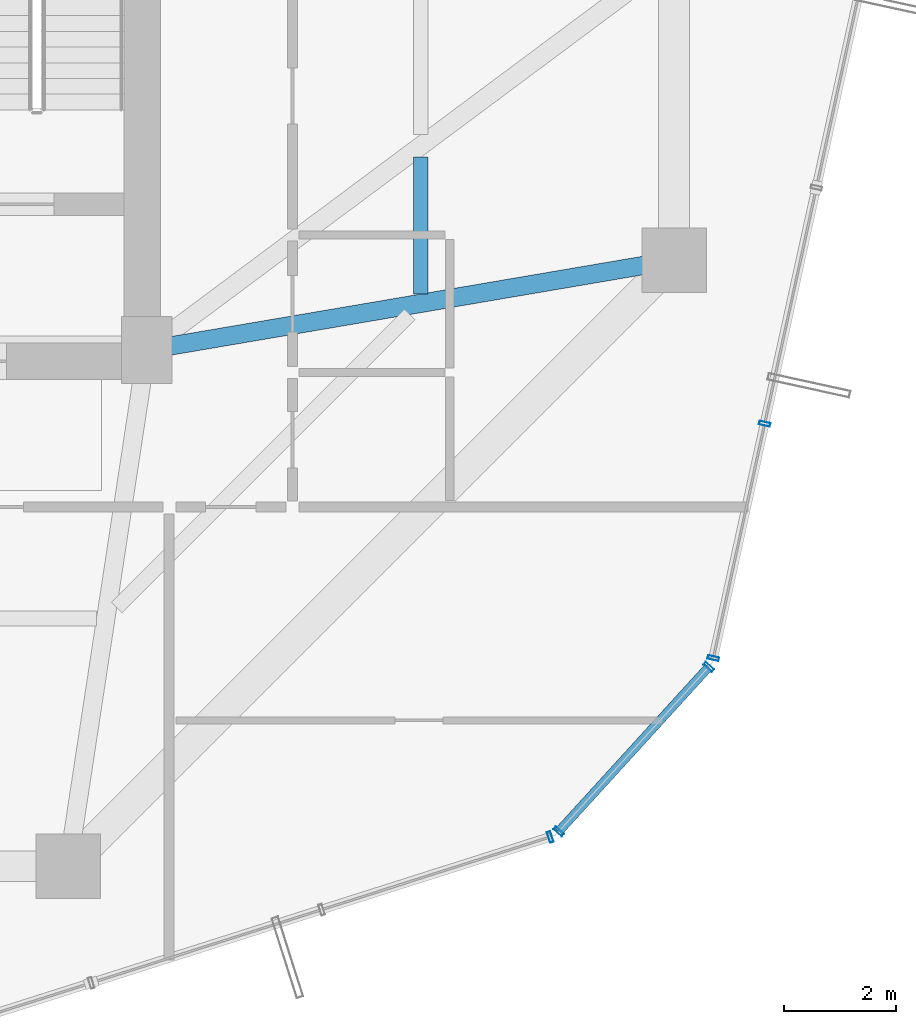
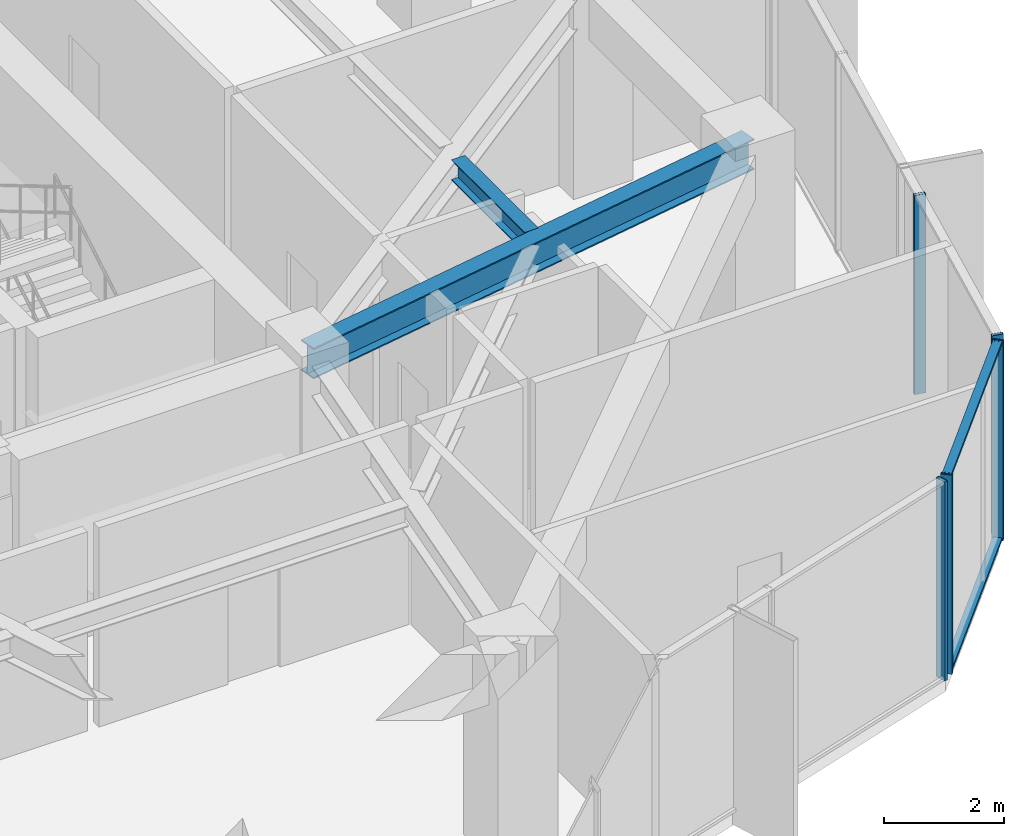
# One storey, part 13 of 28: 7 members, 2 beams, 3 elements without a shape of their own.
"""IFC4 building model written with IfcOpenShell, lengths in metres."""

from ifc_helpers import new_model, si_unit, direction, frame, origin, origin_2d, place, context, subcontext, project, spatial, hollow_rectangle, i_section, extrude, source, transform, mapped, material, layer, layer_set, material_profile, profile_set, type_object, element, aggregate, save


model = new_model("IFC4")

# Units and contexts
model_context = context("Model", 3, precision=1e-05, world=origin(), true_north=direction((0.0, 1.0)))
body_context = subcontext(model_context, "Body", "Model", "MODEL_VIEW")
ifc_project = project(units=[si_unit("LENGTHUNIT", "METRE"), si_unit("AREAUNIT", "SQUARE_METRE"), si_unit("VOLUMEUNIT", "CUBIC_METRE"), si_unit("PLANEANGLEUNIT", "RADIAN"), si_unit("MASSUNIT", "GRAM", prefix="KILO")], contexts=[model_context])

# Site, building, storey
site_placement = place(None, origin())
site = spatial("IfcSite", under=ifc_project, at=site_placement, CompositionType="ELEMENT")
building_placement = place(site_placement, origin())
building = spatial("IfcBuilding", under=site, at=building_placement, Name="Veraguas Prism Commons", CompositionType="ELEMENT")
storey_placement = place(building_placement, frame((0.0, 0.0, 85.14990234375)))
storey = spatial("IfcBuildingStorey", under=building, at=storey_placement, Name="L23", CompositionType="ELEMENT", Elevation=85.14990234375)

# Beams
ifc_material_1 = material(Name="Steel ASTM A992 Grade 50", Category="steel")
ifc_material_profile_1 = material_profile(ifc_material_1, i_section(OverallWidth=0.260986328125, OverallDepth=0.419921875, WebThickness=0.01171875, FlangeThickness=0.019287109375, at=origin_2d()), Name="W410X114")
ifc_profile_set_1 = profile_set([ifc_material_profile_1], Name="Steel ASTM A992 Grade 50")
beam_type_1 = type_object("IfcBeamType", Name="Lower Floor Joist W410x114", PredefinedType="JOIST", material=ifc_profile_set_1)
beam_1_placement = place(storey_placement, frame((35.68798828125, 17.996337890625, 3.840087890625), z_axis=(0.0, 1.0, 0.0), x_axis=(-1.0, 0.0, 0.0)))
element("IfcBeam", 1, at=beam_1_placement, inside=storey, type_object=beam_type_1, Name="Composite Floor Joist L23-JS01", PredefinedType="JOIST", context=body_context, shape_type="SweptSolid", body=[
    extrude(i_section(OverallWidth=0.260986328125, OverallDepth=0.419921875, WebThickness=0.01171875, FlangeThickness=0.019287109375, at=origin_2d()), origin(), (0.0, 0.0, 1.0), 2.441650390625),
])
ifc_material_profile_2 = material_profile(ifc_material_1, i_section(OverallWidth=0.327880859375, OverallDepth=0.6220703125, WebThickness=0.015380859375, FlangeThickness=0.0244140625, at=origin_2d()), Name="W610X195")
ifc_profile_set_2 = profile_set([ifc_material_profile_2], Name="Steel ASTM A992 Grade 50")
beam_type_2 = type_object("IfcBeamType", Name="Zone 2 Radial Girder W610x195", PredefinedType="BEAM", material=ifc_profile_set_2)
beam_2_placement = place(storey_placement, frame((40.199951171875, 18.60009765625, 3.739013671875), z_axis=(-0.985819187151, -0.1678109956, 0.0), x_axis=(0.1678109956, -0.985819187151, 0.0)))
element("IfcBeam", 2, at=beam_2_placement, inside=storey, type_object=beam_type_2, Name="Radial Floor Girder L23-RD01", PredefinedType="BEAM", context=body_context, shape_type="SweptSolid", body=[
    extrude(i_section(OverallWidth=0.327880859375, OverallDepth=0.6220703125, WebThickness=0.015380859375, FlangeThickness=0.0244140625, at=origin_2d()), origin(), (0.0, 0.0, 1.0), 9.53515625),
])

# Curtain wall, member
ifc_material_2 = material(Name="Anodised aluminium EN AW-6063 T6", Category="aluminium")
ifc_layer = layer(ifc_material_2, 0.199951171875, Name="Sky Lobby and Pool Acoustic Curtain Wall", Category="aluminium")
ifc_layer_set = layer_set([ifc_layer], Name="Anodised aluminium EN AW-6063 T6")
curtain_wall_type = type_object("IfcCurtainWallType", Name="Sky Lobby and Pool Acoustic Curtain Wall", PredefinedType="NOTDEFINED", material=ifc_layer_set)
curtain_wall_1_placement = place(storey_placement, origin())
curtain_wall_1 = element("IfcCurtainWall", 3, at=curtain_wall_1_placement, inside=storey, type_object=curtain_wall_type, Name="Tower Facade Curtain Wall L23-F5", PredefinedType="NOTDEFINED")
ifc_material_profile_3 = material_profile(ifc_material_2, hollow_rectangle(XDim=0.06494140625, YDim=0.199951171875, WallThickness=0.00390625, at=origin_2d()), Name="AL65X200X4")
ifc_profile_set_3 = profile_set([ifc_material_profile_3], Name="Anodised aluminium EN AW-6063 T6")
member_type_1 = type_object("IfcMemberType", Name="Curtain Wall Mullion Heavy AL 65x200x4", PredefinedType="MULLION", material=ifc_profile_set_3)
shared_shape_1 = source(origin(), body_context, "Body", "SweptSolid", [
    extrude(hollow_rectangle(XDim=0.06494140625, YDim=0.199951171875, WallThickness=0.00390625, at=origin_2d()), origin(), (0.0, 0.0, 1.0), 4.050048828125),
])
member_1_placement = place(storey_placement, frame((37.993896484375, 8.321044921875, 0.0), z_axis=(0.0, 0.0, 1.0), x_axis=(0.952979341517, 0.303035269633, 0.0)))
member_1 = element("IfcMember", 4, at=member_1_placement, type_object=member_type_1, Name="CW-SKY Mullion 5", PredefinedType="MULLION", context=body_context, shape_type="MappedRepresentation", body=[
    mapped(shared_shape_1, transform((0.0, 0.0, 0.0), scale=1.0)),
])
aggregate(curtain_wall_1, [member_1])

# Curtain wall, members
curtain_wall_2_placement = place(storey_placement, origin())
curtain_wall_2 = element("IfcCurtainWall", 5, at=curtain_wall_2_placement, inside=storey, type_object=curtain_wall_type, Name="Tower Facade Curtain Wall L23-F6", PredefinedType="NOTDEFINED")
member_2_placement = place(storey_placement, frame((40.900146484375, 11.50830078125, 0.0), z_axis=(0.0, 0.0, 1.0), x_axis=(0.21405513389, 0.976821580257, 0.0)))
member_2 = element("IfcMember", 6, at=member_2_placement, type_object=member_type_1, Name="CW-SKY Mullion 1", PredefinedType="MULLION", context=body_context, shape_type="MappedRepresentation", body=[
    mapped(shared_shape_1, transform((0.0, 0.0, 0.0), scale=1.0)),
])
member_3_placement = place(storey_placement, frame((41.815673828125, 15.685302734375, 0.0), z_axis=(0.0, 0.0, 1.0), x_axis=(0.21405513389, 0.976821580257, 0.0)))
member_3 = element("IfcMember", 7, at=member_3_placement, type_object=member_type_1, Name="CW-SKY Mullion 2", PredefinedType="MULLION", context=body_context, shape_type="MappedRepresentation", body=[
    mapped(shared_shape_1, transform((0.0, 0.0, 0.0), scale=1.0)),
])
aggregate(curtain_wall_2, [member_2, member_3])

curtain_wall_3_placement = place(storey_placement, origin())
curtain_wall_3 = element("IfcCurtainWall", 8, at=curtain_wall_3_placement, inside=storey, type_object=curtain_wall_type, Name="Chamfer Curtain Wall L23-C6", PredefinedType="NOTDEFINED")
member_4_placement = place(storey_placement, frame((38.144287109375, 8.417236328125, 0.0), z_axis=(0.0, 0.0, 1.0), x_axis=(0.673790553217, 0.738922384554, 0.0)))
member_4 = element("IfcMember", 9, at=member_4_placement, type_object=member_type_1, Name="CW-SKY Mullion 1", PredefinedType="MULLION", context=body_context, shape_type="MappedRepresentation", body=[
    mapped(shared_shape_1, transform((0.0, 0.0, 0.0), scale=1.0)),
])
member_5_placement = place(storey_placement, frame((40.818115234375, 11.349609375, 0.0), z_axis=(0.0, 0.0, 1.0), x_axis=(0.673790553217, 0.738922384554, 0.0)))
member_5 = element("IfcMember", 10, at=member_5_placement, type_object=member_type_1, Name="CW-SKY Mullion 2", PredefinedType="MULLION", context=body_context, shape_type="MappedRepresentation", body=[
    mapped(shared_shape_1, transform((0.0, 0.0, 0.0), scale=1.0)),
])
ifc_material_profile_4 = material_profile(ifc_material_2, hollow_rectangle(XDim=0.06005859375, YDim=0.159912109375, WallThickness=0.0029296875, at=origin_2d()), Name="AL60X160X3")
ifc_profile_set_4 = profile_set([ifc_material_profile_4], Name="Anodised aluminium EN AW-6063 T6")
member_type_2 = type_object("IfcMemberType", Name="Curtain Wall Transom Heavy AL 60x160x3", PredefinedType="USERDEFINED", material=ifc_profile_set_4)
shared_shape_2 = source(origin(), body_context, "Body", "SweptSolid", [
    extrude(hollow_rectangle(XDim=0.06005859375, YDim=0.159912109375, WallThickness=0.0029296875, at=origin_2d()), origin(), (0.0, 0.0, 1.0), 3.968505859375),
])
member_6_placement = place(storey_placement, frame((38.144287109375, 8.417236328125, 0.030029296875), z_axis=(0.673780534852, 0.738931519733, 0.0), x_axis=(0.0, 0.0, 1.0)))
member_6 = element("IfcMember", 11, at=member_6_placement, type_object=member_type_2, Name="CW-SKY Transom 1", ObjectType="TRANSOM", PredefinedType="USERDEFINED", context=body_context, shape_type="MappedRepresentation", body=[
    mapped(shared_shape_2, transform((0.0, 0.0, 0.0), scale=1.0)),
])
member_7_placement = place(storey_placement, frame((38.144287109375, 8.417236328125, 4.02001953125), z_axis=(0.673780534852, 0.738931519733, 0.0), x_axis=(0.0, 0.0, 1.0)))
member_7 = element("IfcMember", 12, at=member_7_placement, type_object=member_type_2, Name="CW-SKY Transom 2", ObjectType="TRANSOM", PredefinedType="USERDEFINED", context=body_context, shape_type="MappedRepresentation", body=[
    mapped(shared_shape_2, transform((0.0, 0.0, 0.0), scale=1.0)),
])
aggregate(curtain_wall_3, [member_4, member_5, member_6, member_7])

save(model, "model.ifc")
